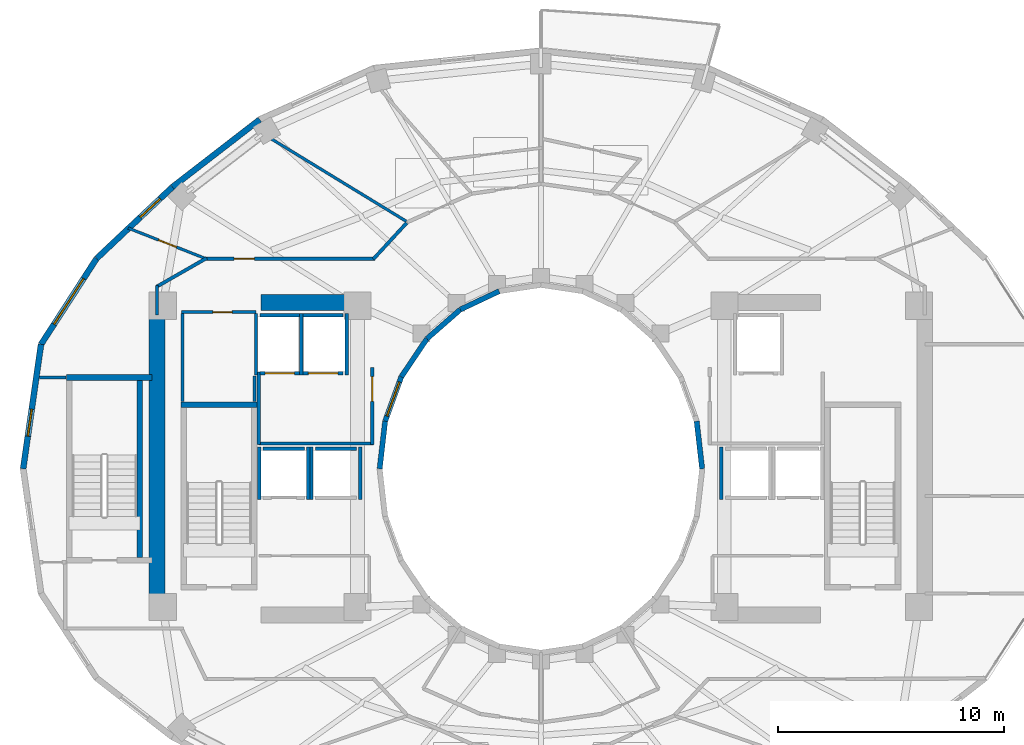
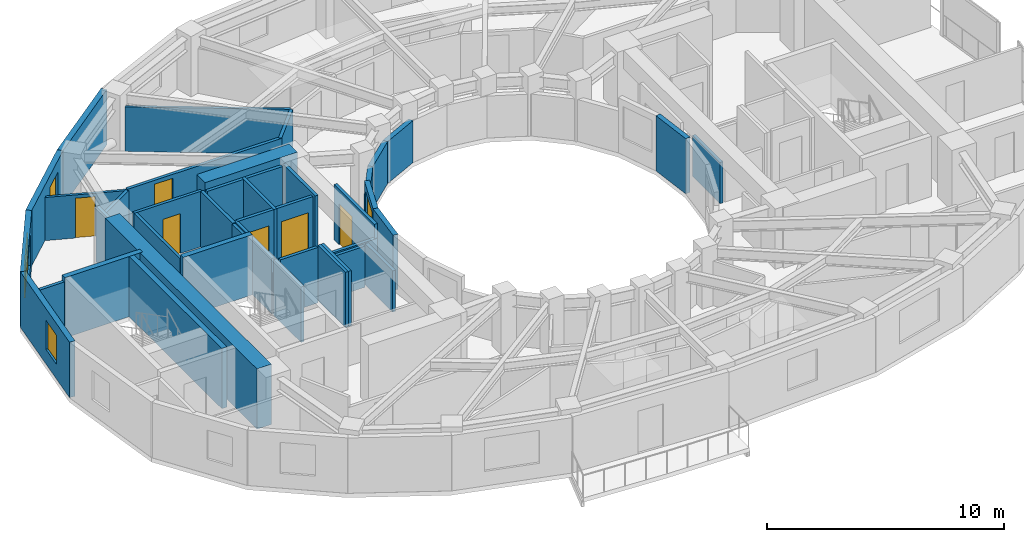
# One storey, part 7 of 13: 42 walls, 6 doors, 4 windows, 10 openings.
"""IFC4 building model written with IfcOpenShell, lengths in metres."""

from ifc_helpers import new_model, si_unit, direction, frame, frame_2d, origin, place, context, subcontext, project, spatial, rectangle, extrude, material, layer, layer_set, type_object, element, fill, save


model = new_model("IFC4")

# Units and contexts
model_context = context("Model", 3, precision=1e-05, world=origin(), true_north=direction((0.0, 1.0)))
body_context = subcontext(model_context, "Body", "Model", "MODEL_VIEW")
ifc_project = project(units=[si_unit("LENGTHUNIT", "METRE"), si_unit("AREAUNIT", "SQUARE_METRE"), si_unit("VOLUMEUNIT", "CUBIC_METRE"), si_unit("PLANEANGLEUNIT", "RADIAN"), si_unit("MASSUNIT", "GRAM", prefix="KILO")], contexts=[model_context])

# Site, building, storey
site_placement = place(None, origin())
site = spatial("IfcSite", under=ifc_project, at=site_placement, CompositionType="ELEMENT")
building_placement = place(site_placement, origin())
building = spatial("IfcBuilding", under=site, at=building_placement, Name="Solvane Sanctuary Tower", CompositionType="ELEMENT")
storey_placement = place(building_placement, frame((0.0, 0.0, 156.0)))
storey = spatial("IfcBuildingStorey", under=building, at=storey_placement, Name="L47", CompositionType="ELEMENT", Elevation=156.0)

# Walls
ifc_material_1 = material(Name="Concrete C60/75", Category="concrete")
ifc_layer_1 = layer(ifc_material_1, 0.699951171875, Name="Concrete C60/75")
ifc_layer_set_1 = layer_set([ifc_layer_1], Name="Concrete C60/75")
wall_type_1 = type_object("IfcWallType", Name="Wall W-CORE-700", PredefinedType="SHEAR", material=ifc_layer_set_1)
wall_1_placement = place(storey_placement, frame((15.050048828125, 17.050048828125, 0.0), z_axis=(0.0, 0.0, 1.0), x_axis=(0.0, 1.0, 0.0)))
element("IfcWall", 1, at=wall_1_placement, inside=storey, type_object=wall_type_1, Name="L47 Core Shear Wall WC-W", PredefinedType="SHEAR", context=body_context, shape_type="SweptSolid", body=[
    extrude(rectangle(XDim=12.800048828125, YDim=0.699951171875, at=frame_2d((6.39990234375, 0.0))), origin(), (0.0, 0.0, 1.0), 3.10009765625),
])
wall_2_placement = place(storey_placement, frame((19.64990234375, 30.35009765625, 0.0), z_axis=(0.0, 0.0, 1.0), x_axis=(1.0, 0.0, 0.0)))
element("IfcWall", 2, at=wall_2_placement, inside=storey, type_object=wall_type_1, Name="L47 Core Shear Wall WC-N", PredefinedType="SHEAR", context=body_context, shape_type="SweptSolid", body=[
    extrude(rectangle(XDim=4.5, YDim=0.699951171875, at=frame_2d((2.25, 0.0))), origin(), (0.0, 0.0, 1.0), 3.10009765625),
])
ifc_material_2 = material(Name="Acoustic Gypsum Partition Board")
ifc_layer_2 = layer(ifc_material_2, 0.14990234375, Name="Acoustic Gypsum Partition Board")
ifc_layer_set_2 = layer_set([ifc_layer_2], Name="Acoustic Gypsum Partition Board")
wall_type_2 = type_object("IfcWallType", Name="Wall W-CORR-150", PredefinedType="PARTITIONING", material=ifc_layer_set_2)
wall_3_placement = place(storey_placement, frame((19.52001953125, 24.1201171875, 0.0), z_axis=(0.0, 0.0, 1.0), x_axis=(1.0, 0.0, 0.0)))
element("IfcWall", 3, at=wall_3_placement, inside=storey, type_object=wall_type_2, Name="L47 West Firefighting Lobby South Wall", PredefinedType="PARTITIONING", context=body_context, shape_type="SweptSolid", body=[
    extrude(rectangle(XDim=5.080078125, YDim=0.14990234375, at=frame_2d((2.5400390625, 0.0))), origin(), (0.0, 0.0, 1.0), 2.1201171875),
])
wall_4_placement = place(storey_placement, frame((19.550048828125, 24.080078125, 0.0), z_axis=(0.0, 0.0, 1.0), x_axis=(0.0, 1.0, 0.0)))
element("IfcWall", 4, at=wall_4_placement, inside=storey, type_object=wall_type_2, Name="L47 West Firefighting Lobby West Wall", PredefinedType="PARTITIONING", context=body_context, shape_type="SweptSolid", body=[
    extrude(rectangle(XDim=3.199951171875, YDim=0.14990234375, at=frame_2d((1.60009765625, 0.0))), origin(), (0.0, 0.0, 1.0), 2.85498046875),
])

# Wall, opening, door
wall_5_placement = place(storey_placement, frame((24.550048828125, 24.080078125, 0.0), z_axis=(0.0, 0.0, 1.0), x_axis=(0.0, 1.0, 0.0)))
wall_5 = element("IfcWall", 5, at=wall_5_placement, inside=storey, type_object=wall_type_2, Name="L47 West Firefighting Lobby East Wall", PredefinedType="PARTITIONING", context=body_context, shape_type="SweptSolid", body=[
    extrude(rectangle(XDim=3.39990234375, YDim=0.14990234375, at=frame_2d((1.699951171875, 0.0))), origin(), (0.0, 0.0, 1.0), 2.85498046875),
])
opening_1_placement = place(wall_5_placement, frame((1.893798828125, 0.0, 0.0)))
opening_1 = element("IfcOpeningElement", 6, at=opening_1_placement, cuts=wall_5, Name="Opening D-L47-06", PredefinedType="OPENING", context=body_context, shape_type="SweptSolid", body=[
    extrude(rectangle(XDim=1.10009765625, YDim=2.10009765625, at=frame_2d((0.550048828125, 1.050048828125))), frame((0.0, 0.0849609375, 0.0), z_axis=(0.0, -1.0, 0.0), x_axis=(1.0, 0.0, 0.0)), (0.0, 0.0, 1.0), 0.169921875),
])
ifc_material_3 = material(Name="Architectural Stainless Steel 316", Category="steel")
door_type_1 = type_object("IfcDoorType", Name="Door D-FFL", OperationType="NOTDEFINED", PredefinedType="DOOR", material=ifc_material_3)
door_1_placement = place(opening_1_placement, origin())
door_1 = element("IfcDoor", 7, at=door_1_placement, inside=storey, type_object=door_type_1, Name="L47 West Firefighting Lobby Fire Door", OperationType="SINGLE_SWING_RIGHT", OverallHeight=2.10009765625, OverallWidth=1.10009765625, PredefinedType="DOOR", context=body_context, shape_type="SweptSolid", body=[
    extrude(rectangle(XDim=1.10009765625, YDim=2.10009765625, at=frame_2d((0.550048828125, 1.050048828125))), frame((0.0, 0.02490234375, 0.0), z_axis=(0.0, -1.0, 0.0), x_axis=(1.0, 0.0, 0.0)), (0.0, 0.0, 1.0), 0.050048828125),
])
fill(opening_1, door_1)

# Walls
wall_6_placement = place(storey_placement, frame((9.869873046875, 27.030029296875, 0.0), z_axis=(0.0, 0.0, 1.0), x_axis=(1.0, 0.0, 0.0)))
element("IfcWall", 8, at=wall_6_placement, inside=storey, type_object=wall_type_2, Name="L47 NW Corner Closer 1", PredefinedType="PARTITIONING", context=body_context, shape_type="SweptSolid", body=[
    extrude(rectangle(XDim=1.170166015625, YDim=0.14990234375, at=frame_2d((0.5849609375, 0.0))), origin(), (0.0, 0.0, 1.0), 2.85498046875),
])
wall_7_placement = place(storey_placement, frame((15.050048828125, 29.800048828125, 0.0), z_axis=(0.0, 0.0, 1.0), x_axis=(0.0, 1.0, 0.0)))
element("IfcWall", 9, at=wall_7_placement, inside=storey, type_object=wall_type_2, Name="L47 NW Corner Closer 2", PredefinedType="PARTITIONING", context=body_context, shape_type="SweptSolid", body=[
    extrude(rectangle(XDim=1.2900390625, YDim=0.14990234375, at=frame_2d((0.64501953125, 0.0))), origin(), (0.0, 0.0, 1.0), 2.85498046875),
])
wall_8_placement = place(storey_placement, frame((26.07177734375, 33.855712890625, 0.0), z_axis=(0.0, 0.0, 1.0), x_axis=(-0.677579737957, -0.735449317567, 0.0)))
element("IfcWall", 10, at=wall_8_placement, inside=storey, type_object=wall_type_2, Name="L47 NW Corner Throat Wall", PredefinedType="PARTITIONING", context=body_context, shape_type="SweptSolid", body=[
    extrude(rectangle(XDim=2.172607421875, YDim=0.14990234375, at=frame_2d((1.08642578125, 0.0))), origin(), (0.0, 0.0, 1.0), 2.299072265625),
])

# Wall, opening, door
wall_9_placement = place(storey_placement, frame((17.14990234375, 32.280029296875, 0.0), z_axis=(0.0, 0.0, 1.0), x_axis=(1.0, 0.0, 0.0)))
wall_9 = element("IfcWall", 11, at=wall_9_placement, inside=storey, type_object=wall_type_2, Name="L47 NW Corner Corridor Wall", PredefinedType="PARTITIONING", context=body_context, shape_type="SweptSolid", body=[
    extrude(rectangle(XDim=7.52001953125, YDim=0.14990234375, at=frame_2d((3.760009765625, 0.0))), origin(), (0.0, 0.0, 1.0), 2.299072265625),
])
opening_2_placement = place(wall_9_placement, frame((1.300048828125, 0.0, 0.0)))
opening_2 = element("IfcOpeningElement", 12, at=opening_2_placement, cuts=wall_9, Name="Opening D-L47-16", PredefinedType="OPENING", context=body_context, shape_type="SweptSolid", body=[
    extrude(rectangle(XDim=0.89990234375, YDim=2.10009765625, at=frame_2d((0.449951171875, 1.050048828125))), frame((0.0, 0.0849609375, 0.0), z_axis=(0.0, -1.0, 0.0), x_axis=(1.0, 0.0, 0.0)), (0.0, 0.0, 1.0), 0.169921875),
])
ifc_material_4 = material(Name="Engineered Tropical Hardwood", Category="wood")
door_type_2 = type_object("IfcDoorType", Name="Door D-WET-900", OperationType="NOTDEFINED", PredefinedType="DOOR", material=ifc_material_4)
door_2_placement = place(opening_2_placement, origin())
door_2 = element("IfcDoor", 13, at=door_2_placement, inside=storey, type_object=door_type_2, Name="L47 NW Corner Salon Door", OperationType="SINGLE_SWING_RIGHT", OverallHeight=2.10009765625, OverallWidth=0.89990234375, PredefinedType="DOOR", context=body_context, shape_type="SweptSolid", body=[
    extrude(rectangle(XDim=0.89990234375, YDim=2.10009765625, at=frame_2d((0.449951171875, 1.050048828125))), frame((0.0, 0.02490234375, 0.0), z_axis=(0.0, -1.0, 0.0), x_axis=(1.0, 0.0, 0.0)), (0.0, 0.0, 1.0), 0.050048828125),
])
fill(opening_2, door_2)

# Walls
wall_10_placement = place(storey_placement, frame((17.243408203125, 32.3046875, 0.0), z_axis=(0.0, 0.0, 1.0), x_axis=(-0.867991349648, -0.496579315857, 0.0)))
element("IfcWall", 14, at=wall_10_placement, inside=storey, type_object=wall_type_2, Name="L47 NW Corner Wing Wall", PredefinedType="PARTITIONING", context=body_context, shape_type="SweptSolid", body=[
    extrude(rectangle(XDim=2.56689453125, YDim=0.14990234375, at=frame_2d((1.283447265625, 0.0))), origin(), (0.0, 0.0, 1.0), 2.219970703125),
])
ifc_material_5 = material(Name="Precast concrete C40/50", Category="concrete")
ifc_layer_3 = layer(ifc_material_5, 0.260009765625, Name="Precast concrete C40/50")
ifc_layer_set_3 = layer_set([ifc_layer_3], Name="Precast concrete C40/50")
wall_type_3 = type_object("IfcWallType", Name="Wall W-EXT-250", PredefinedType="STANDARD", material=ifc_layer_set_3)
wall_11_placement = place(storey_placement, frame((19.5869140625, 38.41943359375, 0.0), z_axis=(0.0, 0.0, 1.0), x_axis=(-0.791460185804, -0.611220724687, 0.0)))
element("IfcWall", 15, at=wall_11_placement, inside=storey, type_object=wall_type_3, Name="L47 Ceramic-Printed Facade Wall 08", PredefinedType="STANDARD", context=body_context, shape_type="SweptSolid", body=[
    extrude(rectangle(XDim=4.872314453125, YDim=0.260009765625, at=frame_2d((2.43603515625, 0.0))), origin(), (0.0, 0.0, 1.0), 2.85009765625),
])

# Wall, opening, window
wall_12_placement = place(storey_placement, frame((15.730712890625, 35.44140625, 0.0), z_axis=(0.0, 0.0, 1.0), x_axis=(-0.727667301037, -0.68593024354, 0.0)))
wall_12 = element("IfcWall", 16, at=wall_12_placement, inside=storey, type_object=wall_type_3, Name="L47 Ceramic-Printed Facade Wall 09", PredefinedType="STANDARD", context=body_context, shape_type="SweptSolid", body=[
    extrude(rectangle(XDim=4.603515625, YDim=0.260009765625, at=frame_2d((2.3017578125, 0.0))), origin(), (0.0, 0.0, 1.0), 2.85009765625),
])
opening_3_placement = place(wall_12_placement, frame((0.75146484375, 0.0, 0.75)))
opening_3 = element("IfcOpeningElement", 17, at=opening_3_placement, cuts=wall_12, Name="Opening WN-OPER-1200", PredefinedType="OPENING", context=body_context, shape_type="SweptSolid", body=[
    extrude(rectangle(XDim=1.199951171875, YDim=1.5, at=frame_2d((0.60009765625, 0.75))), frame((0.0, 0.139892578125, 0.0), z_axis=(0.0, -1.0, 0.0), x_axis=(1.0, 0.0, 0.0)), (0.0, 0.0, 1.0), 0.280029296875),
])
ifc_material_6 = material(Name="Dark Ceramic-Fritted Low-E Glass", Category="glass")
window_type_1 = type_object("IfcWindowType", Name="Window WN-OPER-1200", PartitioningType="SINGLE_PANEL", PredefinedType="WINDOW", material=ifc_material_6)
window_1_placement = place(opening_3_placement, origin())
window_1 = element("IfcWindow", 18, at=window_1_placement, inside=storey, type_object=window_type_1, Name="L47 Operable Facade Window 09", OverallHeight=1.5, OverallWidth=1.199951171875, PartitioningType="SINGLE_PANEL", PredefinedType="WINDOW", context=body_context, shape_type="SweptSolid", body=[
    extrude(rectangle(XDim=1.199951171875, YDim=1.5, at=frame_2d((0.60009765625, 0.75))), frame((0.0, 0.030029296875, 0.0), z_axis=(0.0, -1.0, 0.0), x_axis=(1.0, 0.0, 0.0)), (0.0, 0.0, 1.0), 0.06005859375),
])
fill(opening_3, window_1)

wall_13_placement = place(storey_placement, frame((12.380859375, 32.28369140625, 0.0), z_axis=(0.0, 0.0, 1.0), x_axis=(-0.543358984534, -0.839500454989, 0.0)))
wall_13 = element("IfcWall", 19, at=wall_13_placement, inside=storey, type_object=wall_type_3, Name="L47 Ceramic-Printed Facade Wall 10", PredefinedType="STANDARD", context=body_context, shape_type="SweptSolid", body=[
    extrude(rectangle(XDim=4.51123046875, YDim=0.260009765625, at=frame_2d((2.255615234375, 0.0))), origin(), (0.0, 0.0, 1.0), 2.85009765625),
])
opening_4_placement = place(wall_13_placement, frame((1.0556640625, 0.0, 0.75)))
opening_4 = element("IfcOpeningElement", 20, at=opening_4_placement, cuts=wall_13, Name="Opening WN-RIB-2400", PredefinedType="OPENING", context=body_context, shape_type="SweptSolid", body=[
    extrude(rectangle(XDim=2.39990234375, YDim=1.699951171875, at=frame_2d((1.199951171875, 0.85009765625))), frame((0.0, 0.139892578125, 0.0), z_axis=(0.0, -1.0, 0.0), x_axis=(1.0, 0.0, 0.0)), (0.0, 0.0, 1.0), 0.280029296875),
])
window_type_2 = type_object("IfcWindowType", Name="Window WN-RIB-2400", PartitioningType="SINGLE_PANEL", PredefinedType="WINDOW", material=ifc_material_6)
window_2_placement = place(opening_4_placement, origin())
window_2 = element("IfcWindow", 21, at=window_2_placement, inside=storey, type_object=window_type_2, Name="L47 Operable Facade Window 10", OverallHeight=1.699951171875, OverallWidth=2.39990234375, PartitioningType="SINGLE_PANEL", PredefinedType="WINDOW", context=body_context, shape_type="SweptSolid", body=[
    extrude(rectangle(XDim=2.39990234375, YDim=1.699951171875, at=frame_2d((1.199951171875, 0.85009765625))), frame((0.0, 0.030029296875, 0.0), z_axis=(0.0, -1.0, 0.0), x_axis=(1.0, 0.0, 0.0)), (0.0, 0.0, 1.0), 0.06005859375),
])
fill(opening_4, window_2)

wall_14_placement = place(storey_placement, frame((9.9296875, 28.49658203125, 0.0), z_axis=(0.0, 0.0, 1.0), x_axis=(-0.142227632286, -0.989833976288, 0.0)))
wall_14 = element("IfcWall", 22, at=wall_14_placement, inside=storey, type_object=wall_type_3, Name="L47 Ceramic-Printed Facade Wall 11", PredefinedType="STANDARD", context=body_context, shape_type="SweptSolid", body=[
    extrude(rectangle(XDim=5.552978515625, YDim=0.260009765625, at=frame_2d((2.7763671875, 0.0))), origin(), (0.0, 0.0, 1.0), 2.85009765625),
])
opening_5_placement = place(wall_14_placement, frame((2.892333984375, 0.0, 0.75)))
opening_5 = element("IfcOpeningElement", 23, at=opening_5_placement, cuts=wall_14, Name="Opening WN-OPER-1200", PredefinedType="OPENING", context=body_context, shape_type="SweptSolid", body=[
    extrude(rectangle(XDim=1.199951171875, YDim=1.5, at=frame_2d((0.60009765625, 0.75))), frame((0.0, 0.139892578125, 0.0), z_axis=(0.0, -1.0, 0.0), x_axis=(1.0, 0.0, 0.0)), (0.0, 0.0, 1.0), 0.280029296875),
])
window_3_placement = place(opening_5_placement, origin())
window_3 = element("IfcWindow", 24, at=window_3_placement, inside=storey, type_object=window_type_1, Name="L47 Operable Facade Window 11", OverallHeight=1.5, OverallWidth=1.199951171875, PartitioningType="SINGLE_PANEL", PredefinedType="WINDOW", context=body_context, shape_type="SweptSolid", body=[
    extrude(rectangle(XDim=1.199951171875, YDim=1.5, at=frame_2d((0.60009765625, 0.75))), frame((0.0, 0.030029296875, 0.0), z_axis=(0.0, -1.0, 0.0), x_axis=(1.0, 0.0, 0.0)), (0.0, 0.0, 1.0), 0.06005859375),
])
fill(opening_5, window_3)

# Walls
ifc_layer_4 = layer(ifc_material_5, 0.22998046875, Name="Precast concrete C40/50")
ifc_layer_set_4 = layer_set([ifc_layer_4], Name="Precast concrete C40/50")
wall_type_4 = type_object("IfcWallType", Name="Wall W-EXT-SP220", PredefinedType="STANDARD", material=ifc_layer_set_4)
wall_15_placement = place(storey_placement, frame((39.1201171875, 23.0, 0.0), z_axis=(0.0, 0.0, 1.0), x_axis=(-0.114711713601, 0.993398823617, 0.0)))
element("IfcWall", 25, at=wall_15_placement, inside=storey, type_object=wall_type_4, Name="L47 Central Light-Well Wall 00", PredefinedType="STANDARD", context=body_context, shape_type="SweptSolid", body=[
    extrude(rectangle(XDim=2.115478515625, YDim=0.22998046875, at=frame_2d((1.0576171875, 0.0))), origin(), (0.0, 0.0, 1.0), 2.840087890625),
])
wall_16_placement = place(storey_placement, frame((30.1572265625, 30.84326171875, 0.0), z_axis=(0.0, 0.0, 1.0), x_axis=(-0.904179699603, -0.427152280606, 0.0)))
element("IfcWall", 26, at=wall_16_placement, inside=storey, type_object=wall_type_4, Name="L47 Central Light-Well Wall 07", PredefinedType="STANDARD", context=body_context, shape_type="SweptSolid", body=[
    extrude(rectangle(XDim=1.899169921875, YDim=0.22998046875, at=frame_2d((0.94970703125, 0.0))), origin(), (0.0, 0.0, 1.0), 2.159912109375),
])
wall_17_placement = place(storey_placement, frame((28.43994140625, 30.031982421875, 0.0), z_axis=(0.0, 0.0, 1.0), x_axis=(-0.752576694707, -0.658504607869, 0.0)))
element("IfcWall", 27, at=wall_17_placement, inside=storey, type_object=wall_type_4, Name="L47 Central Light-Well Wall 08", PredefinedType="STANDARD", context=body_context, shape_type="SweptSolid", body=[
    extrude(rectangle(XDim=1.95947265625, YDim=0.22998046875, at=frame_2d((0.979736328125, 0.0))), origin(), (0.0, 0.0, 1.0), 2.159912109375),
])
wall_18_placement = place(storey_placement, frame((26.96533203125, 28.74169921875, 0.0), z_axis=(0.0, 0.0, 1.0), x_axis=(-0.558197800898, -0.829707909492, 0.0)))
element("IfcWall", 28, at=wall_18_placement, inside=storey, type_object=wall_type_4, Name="L47 Central Light-Well Wall 09", PredefinedType="STANDARD", context=body_context, shape_type="SweptSolid", body=[
    extrude(rectangle(XDim=2.02685546875, YDim=0.22998046875, at=frame_2d((1.013427734375, 0.0))), origin(), (0.0, 0.0, 1.0), 2.159912109375),
])

# Wall, opening, window
wall_19_placement = place(storey_placement, frame((25.833984375, 27.06005859375, 0.0), z_axis=(0.0, 0.0, 1.0), x_axis=(-0.341423187295, -0.93990968033, 0.0)))
wall_19 = element("IfcWall", 29, at=wall_19_placement, inside=storey, type_object=wall_type_4, Name="L47 Central Light-Well Wall 10", PredefinedType="STANDARD", context=body_context, shape_type="SweptSolid", body=[
    extrude(rectangle(XDim=2.083740234375, YDim=0.22998046875, at=frame_2d((1.0419921875, 0.0))), origin(), (0.0, 0.0, 1.0), 2.840087890625),
])
opening_6_placement = place(wall_19_placement, frame((0.24169921875, 0.0, 0.85009765625)))
opening_6 = element("IfcOpeningElement", 30, at=opening_6_placement, cuts=wall_19, Name="Opening WN-WELL-1600", PredefinedType="OPENING", context=body_context, shape_type="SweptSolid", body=[
    extrude(rectangle(XDim=1.60009765625, YDim=1.64990234375, at=frame_2d((0.800048828125, 0.824951171875))), frame((0.0, 0.125, 0.0), z_axis=(0.0, -1.0, 0.0), x_axis=(1.0, 0.0, 0.0)), (0.0, 0.0, 1.0), 0.25),
])
ifc_material_7 = material(Name="Clear Laminated Light-Well Glass", Category="glass")
window_type_3 = type_object("IfcWindowType", Name="Window WN-WELL-1600", PartitioningType="SINGLE_PANEL", PredefinedType="WINDOW", material=ifc_material_7)
window_4_placement = place(opening_6_placement, origin())
window_4 = element("IfcWindow", 31, at=window_4_placement, inside=storey, type_object=window_type_3, Name="L47 Light-Well Daylight Window 10", OverallHeight=1.64990234375, OverallWidth=1.60009765625, PartitioningType="SINGLE_PANEL", PredefinedType="WINDOW", context=body_context, shape_type="SweptSolid", body=[
    extrude(rectangle(XDim=1.60009765625, YDim=1.64990234375, at=frame_2d((0.800048828125, 0.824951171875))), frame((0.0, 0.030029296875, 0.0), z_axis=(0.0, -1.0, 0.0), x_axis=(1.0, 0.0, 0.0)), (0.0, 0.0, 1.0), 0.06005859375),
])
fill(opening_6, window_4)

# Wall
wall_20_placement = place(storey_placement, frame((25.12255859375, 25.1015625, 0.0), z_axis=(0.0, 0.0, 1.0), x_axis=(-0.114711713601, -0.993398823617, 0.0)))
element("IfcWall", 32, at=wall_20_placement, inside=storey, type_object=wall_type_4, Name="L47 Central Light-Well Wall 11", PredefinedType="STANDARD", context=body_context, shape_type="SweptSolid", body=[
    extrude(rectangle(XDim=2.115478515625, YDim=0.22998046875, at=frame_2d((1.0576171875, 0.0))), origin(), (0.0, 0.0, 1.0), 2.840087890625),
])

# Wall, opening, door
ifc_layer_5 = layer(ifc_material_2, 0.1201171875, Name="Acoustic Gypsum Partition Board")
ifc_layer_set_5 = layer_set([ifc_layer_5], Name="Acoustic Gypsum Partition Board")
wall_type_5 = type_object("IfcWallType", Name="Wall W-MOV-100", PredefinedType="MOVABLE", material=ifc_layer_set_5)
wall_21_placement = place(storey_placement, frame((17.24658203125, 32.26171875, 0.0), z_axis=(0.0, 0.0, 1.0), x_axis=(-0.930204027108, 0.367042869367, 0.0)))
wall_21 = element("IfcWall", 33, at=wall_21_placement, inside=storey, type_object=wall_type_5, Name="L47 NW Corner Suite Partition", PredefinedType="MOVABLE", context=body_context, shape_type="SweptSolid", body=[
    extrude(rectangle(XDim=3.73095703125, YDim=0.1201171875, at=frame_2d((1.865478515625, 0.0))), origin(), (0.0, 0.0, 1.0), 2.219970703125),
])
opening_7_placement = place(wall_21_placement, frame((1.4404296875, 0.0, 0.0)))
opening_7 = element("IfcOpeningElement", 34, at=opening_7_placement, cuts=wall_21, Name="Opening D-L47-15", PredefinedType="OPENING", context=body_context, shape_type="SweptSolid", body=[
    extrude(rectangle(XDim=0.85009765625, YDim=2.050048828125, at=frame_2d((0.425048828125, 1.02490234375))), frame((0.0, 0.070068359375, 0.0), z_axis=(0.0, -1.0, 0.0), x_axis=(1.0, 0.0, 0.0)), (0.0, 0.0, 1.0), 0.14013671875),
])
door_type_3 = type_object("IfcDoorType", Name="Door D-RISER", OperationType="NOTDEFINED", PredefinedType="DOOR", material=ifc_material_3)
door_3_placement = place(opening_7_placement, origin())
door_3 = element("IfcDoor", 35, at=door_3_placement, inside=storey, type_object=door_type_3, Name="L47 NW Corner Suite Door", OperationType="SINGLE_SWING_LEFT", OverallHeight=2.050048828125, OverallWidth=0.85009765625, PredefinedType="DOOR", context=body_context, shape_type="SweptSolid", body=[
    extrude(rectangle(XDim=0.85009765625, YDim=2.050048828125, at=frame_2d((0.425048828125, 1.02490234375))), frame((0.0, 0.02490234375, 0.0), z_axis=(0.0, -1.0, 0.0), x_axis=(1.0, 0.0, 0.0)), (0.0, 0.0, 1.0), 0.050048828125),
])
fill(opening_7, door_3)

# Walls
ifc_layer_6 = layer(ifc_material_2, 0.125, Name="Acoustic Gypsum Partition Board")
ifc_layer_set_6 = layer_set([ifc_layer_6], Name="Acoustic Gypsum Partition Board")
wall_type_6 = type_object("IfcWallType", Name="Wall W-PART-125", PredefinedType="PARTITIONING", material=ifc_layer_set_6)
wall_22_placement = place(storey_placement, frame((26.06201171875, 33.925048828125, 0.0), z_axis=(0.0, 0.0, 1.0), x_axis=(-0.853440334679, 0.521190555501, 0.0)))
element("IfcWall", 36, at=wall_22_placement, inside=storey, type_object=wall_type_6, Name="L47 Radial Compartment Wall 120", PredefinedType="PARTITIONING", context=body_context, shape_type="SweptSolid", body=[
    extrude(rectangle(XDim=6.966064453125, YDim=0.125, at=frame_2d((3.48291015625, 0.0))), origin(), (0.0, 0.0, 1.0), 2.299072265625),
])
ifc_material_8 = material(Name="Concrete C50/60", Category="concrete")
ifc_layer_7 = layer(ifc_material_8, 0.14990234375, Name="Concrete C50/60")
ifc_layer_set_7 = layer_set([ifc_layer_7], Name="Concrete C50/60")
wall_type_7 = type_object("IfcWallType", Name="Wall W-SHAFT-150", PredefinedType="SOLIDWALL", material=ifc_layer_set_7)
wall_23_placement = place(storey_placement, frame((19.739990234375, 23.8798828125, 0.0), z_axis=(0.0, 0.0, 1.0), x_axis=(1.0, 0.0, 0.0)))
element("IfcWall", 37, at=wall_23_placement, inside=storey, type_object=wall_type_7, Name="L47 PM-1 Lift Shaft Wall B", PredefinedType="SOLIDWALL", context=body_context, shape_type="SweptSolid", body=[
    extrude(rectangle(XDim=1.820068359375, YDim=0.14990234375, at=frame_2d((0.91015625, 0.0))), origin(), (0.0, 0.0, 1.0), 2.85498046875),
])
for number, where, z_axis, x_axis, name in (
    (38, (19.570068359375, 21.639892578125, 0.0), (0.0, 0.0, 1.0), (0.0, 1.0, 0.0), "L47 PM-1 Lift Shaft Wall S1"),
    (39, (21.72998046875, 21.639892578125, 0.0), (0.0, 0.0, 1.0), (0.0, 1.0, 0.0), "L47 PM-1 Lift Shaft Wall S2"),
):
    element("IfcWall", number, at=place(storey_placement, frame(where, z_axis=z_axis, x_axis=x_axis)), inside=storey, type_object=wall_type_7, Name=name, PredefinedType="SOLIDWALL", context=body_context, shape_type="SweptSolid", body=[
        extrude(rectangle(XDim=2.320068359375, YDim=0.14990234375, at=frame_2d((1.16015625, 0.0))), origin(), (0.0, 0.0, 1.0), 2.85498046875),
    ])
wall_24_placement = place(storey_placement, frame((22.0400390625, 23.8798828125, 0.0), z_axis=(0.0, 0.0, 1.0), x_axis=(1.0, 0.0, 0.0)))
element("IfcWall", 40, at=wall_24_placement, inside=storey, type_object=wall_type_7, Name="L47 PH-1 Lift Shaft Wall B", PredefinedType="SOLIDWALL", context=body_context, shape_type="SweptSolid", body=[
    extrude(rectangle(XDim=1.820068359375, YDim=0.14990234375, at=frame_2d((0.91015625, 0.0))), origin(), (0.0, 0.0, 1.0), 2.1201171875),
])
wall_25_placement = place(storey_placement, frame((21.8701171875, 21.639892578125, 0.0), z_axis=(0.0, 0.0, 1.0), x_axis=(0.0, 1.0, 0.0)))
element("IfcWall", 41, at=wall_25_placement, inside=storey, type_object=wall_type_7, Name="L47 PH-1 Lift Shaft Wall S1", PredefinedType="SOLIDWALL", context=body_context, shape_type="SweptSolid", body=[
    extrude(rectangle(XDim=2.320068359375, YDim=0.14990234375, at=frame_2d((1.16015625, 0.0))), origin(), (0.0, 0.0, 1.0), 2.85498046875),
])
for number, where, z_axis, x_axis, name in (
    (42, (24.030029296875, 21.639892578125, 0.0), (0.0, 0.0, 1.0), (0.0, 1.0, 0.0), "L47 PH-1 Lift Shaft Wall S2"),
    (43, (39.969970703125, 21.639892578125, 0.0), (0.0, 0.0, 1.0), (0.0, 1.0, 0.0), "L47 PH-2 Lift Shaft Wall S1"),
):
    element("IfcWall", number, at=place(storey_placement, frame(where, z_axis=z_axis, x_axis=x_axis)), inside=storey, type_object=wall_type_7, Name=name, PredefinedType="SOLIDWALL", context=body_context, shape_type="SweptSolid", body=[
        extrude(rectangle(XDim=2.320068359375, YDim=0.14990234375, at=frame_2d((1.16015625, 0.0))), origin(), (0.0, 0.0, 1.0), 2.1201171875),
    ])

# Wall, opening, door
wall_26_placement = place(storey_placement, frame((19.590087890625, 27.219970703125, 0.0), z_axis=(0.0, 0.0, 1.0), x_axis=(1.0, 0.0, 0.0)))
wall_26 = element("IfcWall", 44, at=wall_26_placement, inside=storey, type_object=wall_type_7, Name="L47 FFL-1 Lift Shaft Wall F", PredefinedType="SOLIDWALL", context=body_context, shape_type="SweptSolid", body=[
    extrude(rectangle(XDim=1.760009765625, YDim=0.14990234375, at=frame_2d((0.8798828125, 0.0))), origin(), (0.0, 0.0, 1.0), 2.85498046875),
])
opening_8_placement = place(wall_26_placement, frame((0.22998046875, 0.0, 0.0)))
opening_8 = element("IfcOpeningElement", 45, at=opening_8_placement, cuts=wall_26, Name="Opening LD-L47-03", PredefinedType="OPENING", context=body_context, shape_type="SweptSolid", body=[
    extrude(rectangle(XDim=1.300048828125, YDim=2.10009765625, at=frame_2d((0.64990234375, 1.050048828125))), frame((0.0, 0.0849609375, 0.0), z_axis=(0.0, -1.0, 0.0), x_axis=(1.0, 0.0, 0.0)), (0.0, 0.0, 1.0), 0.169921875),
])
door_type_4 = type_object("IfcDoorType", Name="Door LD-FFL-1300", OperationType="NOTDEFINED", PredefinedType="DOOR", material=ifc_material_3)
door_4_placement = place(opening_8_placement, origin())
door_4 = element("IfcDoor", 46, at=door_4_placement, inside=storey, type_object=door_type_4, Name="L47 FFL-1 Lift Landing Door", OperationType="DOUBLE_DOOR_SLIDING", OverallHeight=2.10009765625, OverallWidth=1.300048828125, PredefinedType="DOOR", context=body_context, shape_type="SweptSolid", body=[
    extrude(rectangle(XDim=1.300048828125, YDim=2.10009765625, at=frame_2d((0.64990234375, 1.050048828125))), frame((0.0, 0.02490234375, 0.0), z_axis=(0.0, -1.0, 0.0), x_axis=(1.0, 0.0, 0.0)), (0.0, 0.0, 1.0), 0.050048828125),
])
fill(opening_8, door_4)

# Walls
wall_27_placement = place(storey_placement, frame((19.590087890625, 29.780029296875, 0.0), z_axis=(0.0, 0.0, 1.0), x_axis=(1.0, 0.0, 0.0)))
element("IfcWall", 47, at=wall_27_placement, inside=storey, type_object=wall_type_7, Name="L47 FFL-1 Lift Shaft Wall B", PredefinedType="SOLIDWALL", context=body_context, shape_type="SweptSolid", body=[
    extrude(rectangle(XDim=1.760009765625, YDim=0.14990234375, at=frame_2d((0.8798828125, 0.0))), origin(), (0.0, 0.0, 1.0), 2.85498046875),
])
for number, where, z_axis, x_axis, name in (
    (48, (19.419921875, 27.139892578125, 0.0), (0.0, 0.0, 1.0), (0.0, 1.0, 0.0), "L47 FFL-1 Lift Shaft Wall S1"),
    (49, (21.425048828125, 27.139892578125, 0.0), (0.0, 0.0, 1.0), (0.0, 1.0, 0.0), "L47 FFL-1 Lift Shaft Wall S2"),
):
    element("IfcWall", number, at=place(storey_placement, frame(where, z_axis=z_axis, x_axis=x_axis)), inside=storey, type_object=wall_type_7, Name=name, PredefinedType="SOLIDWALL", context=body_context, shape_type="SweptSolid", body=[
        extrude(rectangle(XDim=2.72021484375, YDim=0.14990234375, at=frame_2d((1.360107421875, 0.0))), origin(), (0.0, 0.0, 1.0), 2.85498046875),
    ])

# Wall, opening, door
wall_28_placement = place(storey_placement, frame((21.5, 27.219970703125, 0.0), z_axis=(0.0, 0.0, 1.0), x_axis=(1.0, 0.0, 0.0)))
wall_28 = element("IfcWall", 50, at=wall_28_placement, inside=storey, type_object=wall_type_7, Name="L47 SVL-1 Lift Shaft Wall F", PredefinedType="SOLIDWALL", context=body_context, shape_type="SweptSolid", body=[
    extrude(rectangle(XDim=1.760009765625, YDim=0.14990234375, at=frame_2d((0.8798828125, 0.0))), origin(), (0.0, 0.0, 1.0), 2.85498046875),
])
opening_9_placement = place(wall_28_placement, frame((0.22998046875, 0.0, 0.0)))
opening_9 = element("IfcOpeningElement", 51, at=opening_9_placement, cuts=wall_28, Name="Opening LD-L47-04", PredefinedType="OPENING", context=body_context, shape_type="SweptSolid", body=[
    extrude(rectangle(XDim=1.300048828125, YDim=2.10009765625, at=frame_2d((0.64990234375, 1.050048828125))), frame((0.0, 0.0849609375, 0.0), z_axis=(0.0, -1.0, 0.0), x_axis=(1.0, 0.0, 0.0)), (0.0, 0.0, 1.0), 0.169921875),
])
door_5_placement = place(opening_9_placement, origin())
door_5 = element("IfcDoor", 52, at=door_5_placement, inside=storey, type_object=door_type_4, Name="L47 SVL-1 Lift Landing Door", OperationType="DOUBLE_DOOR_SLIDING", OverallHeight=2.10009765625, OverallWidth=1.300048828125, PredefinedType="DOOR", context=body_context, shape_type="SweptSolid", body=[
    extrude(rectangle(XDim=1.300048828125, YDim=2.10009765625, at=frame_2d((0.64990234375, 1.050048828125))), frame((0.0, 0.02490234375, 0.0), z_axis=(0.0, -1.0, 0.0), x_axis=(1.0, 0.0, 0.0)), (0.0, 0.0, 1.0), 0.050048828125),
])
fill(opening_9, door_5)

# Walls
wall_29_placement = place(storey_placement, frame((21.5, 29.780029296875, 0.0), z_axis=(0.0, 0.0, 1.0), x_axis=(1.0, 0.0, 0.0)))
element("IfcWall", 53, at=wall_29_placement, inside=storey, type_object=wall_type_7, Name="L47 SVL-1 Lift Shaft Wall B", PredefinedType="SOLIDWALL", context=body_context, shape_type="SweptSolid", body=[
    extrude(rectangle(XDim=1.760009765625, YDim=0.14990234375, at=frame_2d((0.8798828125, 0.0))), origin(), (0.0, 0.0, 1.0), 2.85498046875),
])
wall_30_placement = place(storey_placement, frame((23.429931640625, 27.139892578125, 0.0), z_axis=(0.0, 0.0, 1.0), x_axis=(0.0, 1.0, 0.0)))
element("IfcWall", 54, at=wall_30_placement, inside=storey, type_object=wall_type_7, Name="L47 SVL-1 Lift Shaft Wall S2", PredefinedType="SOLIDWALL", context=body_context, shape_type="SweptSolid", body=[
    extrude(rectangle(XDim=2.72021484375, YDim=0.14990234375, at=frame_2d((1.360107421875, 0.0))), origin(), (0.0, 0.0, 1.0), 2.85498046875),
])
ifc_layer_8 = layer(ifc_material_8, 0.25, Name="Concrete C50/60")
ifc_layer_set_8 = layer_set([ifc_layer_8], Name="Concrete C50/60")
wall_type_8 = type_object("IfcWallType", Name="Wall W-SHAFT-250", PredefinedType="SOLIDWALL", material=ifc_layer_set_8)
wall_31_placement = place(storey_placement, frame((16.10498046875, 25.830078125, 0.0), z_axis=(0.0, 0.0, 1.0), x_axis=(1.0, 0.0, 0.0)))
element("IfcWall", 55, at=wall_31_placement, inside=storey, type_object=wall_type_8, Name="L47 ST-1 Load-Bearing Shaft Wall N", PredefinedType="SOLIDWALL", context=body_context, shape_type="SweptSolid", body=[
    extrude(rectangle(XDim=3.3701171875, YDim=0.25, at=frame_2d((1.68505859375, 0.0))), origin(), (0.0, 0.0, 1.0), 3.10009765625),
])
wall_32_placement = place(storey_placement, frame((11.044921875, 27.030029296875, 0.0), z_axis=(0.0, 0.0, 1.0), x_axis=(1.0, 0.0, 0.0)))
element("IfcWall", 56, at=wall_32_placement, inside=storey, type_object=wall_type_8, Name="L47 ST-3 Load-Bearing Shaft Wall N", PredefinedType="SOLIDWALL", context=body_context, shape_type="SweptSolid", body=[
    extrude(rectangle(XDim=3.781982421875, YDim=0.25, at=frame_2d((1.89111328125, 0.0))), origin(), (0.0, 0.0, 1.0), 3.10009765625),
])
wall_33_placement = place(storey_placement, frame((14.2900390625, 19.094970703125, 0.0), z_axis=(0.0, 0.0, 1.0), x_axis=(0.0, 1.0, 0.0)))
element("IfcWall", 57, at=wall_33_placement, inside=storey, type_object=wall_type_8, Name="L47 ST-3 Load-Bearing Shaft Wall E", PredefinedType="SOLIDWALL", context=body_context, shape_type="SweptSolid", body=[
    extrude(rectangle(XDim=7.81005859375, YDim=0.25, at=frame_2d((3.905029296875, 0.0))), origin(), (0.0, 0.0, 1.0), 3.10009765625),
])

# Wall, opening, door
ifc_layer_9 = layer(ifc_material_2, 0.139892578125, Name="Acoustic Gypsum Partition Board")
ifc_layer_set_9 = layer_set([ifc_layer_9], Name="Acoustic Gypsum Partition Board")
wall_type_9 = type_object("IfcWallType", Name="Wall W-WET-140", PredefinedType="PLUMBINGWALL", material=ifc_layer_set_9)
wall_34_placement = place(storey_placement, frame((16.1201171875, 29.919921875, 0.0), z_axis=(0.0, 0.0, 1.0), x_axis=(1.0, 0.0, 0.0)))
wall_34 = element("IfcWall", 58, at=wall_34_placement, inside=storey, type_object=wall_type_9, Name="L47 Core Service Front Wall KW0", PredefinedType="PLUMBINGWALL", context=body_context, shape_type="SweptSolid", body=[
    extrude(rectangle(XDim=3.2998046875, YDim=0.139892578125, at=frame_2d((1.64990234375, 0.0))), origin(), (0.0, 0.0, 1.0), 2.85498046875),
])
opening_10_placement = place(wall_34_placement, frame((1.3994140625, 0.0, 0.0)))
opening_10 = element("IfcOpeningElement", 59, at=opening_10_placement, cuts=wall_34, Name="Opening D-L47-10", PredefinedType="OPENING", context=body_context, shape_type="SweptSolid", body=[
    extrude(rectangle(XDim=0.85009765625, YDim=2.050048828125, at=frame_2d((0.425048828125, 1.02490234375))), frame((0.0, 0.079833984375, 0.0), z_axis=(0.0, -1.0, 0.0), x_axis=(1.0, 0.0, 0.0)), (0.0, 0.0, 1.0), 0.159912109375),
])
door_6_placement = place(opening_10_placement, origin())
door_6 = element("IfcDoor", 60, at=door_6_placement, inside=storey, type_object=door_type_3, Name="L47 Core Service Room Door KW0-1", OperationType="SINGLE_SWING_RIGHT", OverallHeight=2.050048828125, OverallWidth=0.85009765625, PredefinedType="DOOR", context=body_context, shape_type="SweptSolid", body=[
    extrude(rectangle(XDim=0.85009765625, YDim=2.050048828125, at=frame_2d((0.425048828125, 1.02490234375))), frame((0.0, 0.02490234375, 0.0), z_axis=(0.0, -1.0, 0.0), x_axis=(1.0, 0.0, 0.0)), (0.0, 0.0, 1.0), 0.050048828125),
])
fill(opening_10, door_6)

# Walls
wall_35_placement = place(storey_placement, frame((16.179931640625, 25.97998046875, 0.0), z_axis=(0.0, 0.0, 1.0), x_axis=(0.0, 1.0, 0.0)))
element("IfcWall", 61, at=wall_35_placement, inside=storey, type_object=wall_type_9, Name="L47 Core Service Side Wall KW0-1", PredefinedType="PLUMBINGWALL", context=body_context, shape_type="SweptSolid", body=[
    extrude(rectangle(XDim=3.880126953125, YDim=0.139892578125, at=frame_2d((1.93994140625, 0.0))), origin(), (0.0, 0.0, 1.0), 2.85498046875),
])
wall_36_placement = place(storey_placement, frame((19.360107421875, 25.97998046875, 0.0), z_axis=(0.0, 0.0, 1.0), x_axis=(0.0, 1.0, 0.0)))
element("IfcWall", 62, at=wall_36_placement, inside=storey, type_object=wall_type_9, Name="L47 Core Service Side Wall KW0-2", PredefinedType="PLUMBINGWALL", context=body_context, shape_type="SweptSolid", body=[
    extrude(rectangle(XDim=1.1201171875, YDim=0.139892578125, at=frame_2d((0.56005859375, 0.0))), origin(), (0.0, 0.0, 1.0), 2.85498046875),
])

save(model, "model.ifc")
